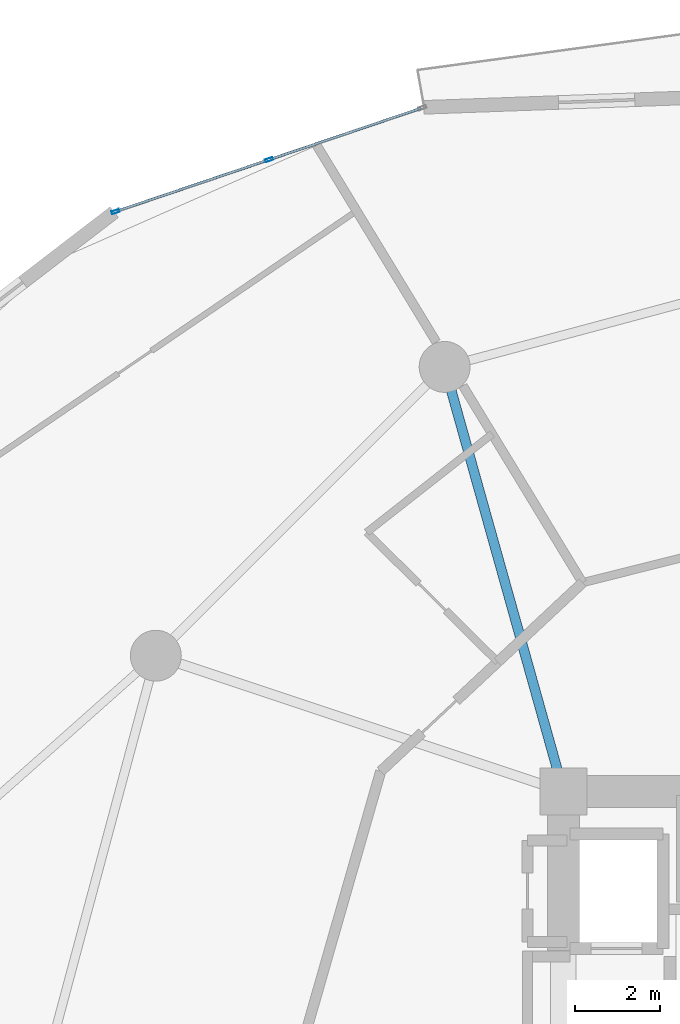
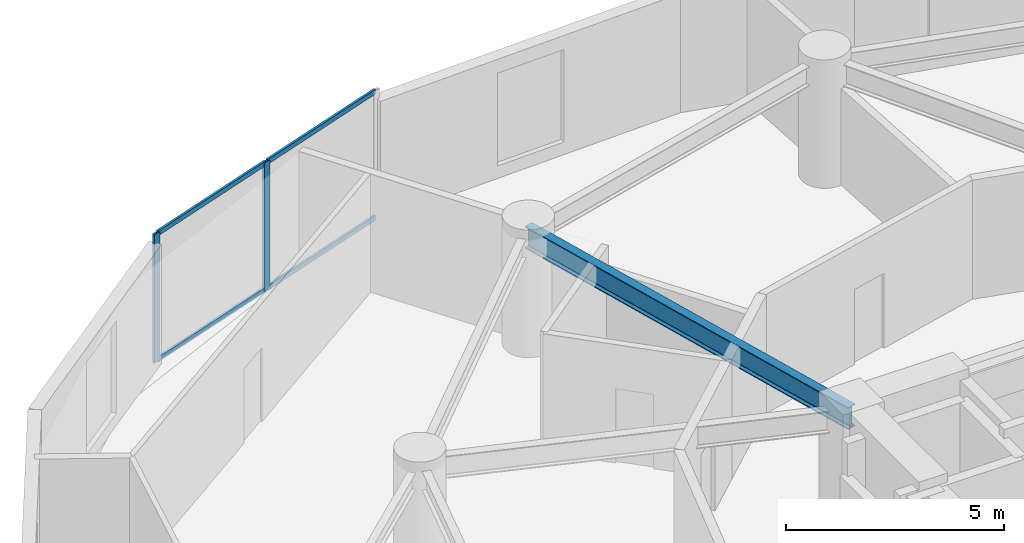
# One storey, part 12 of 23: 6 members, 1 beam, 1 element without a shape of its own.
"""IFC4 building model written with IfcOpenShell, lengths in metres."""

import ifcopenshell
import ifcopenshell.guid

model = None  # the IFC model being written
_history = None  # IfcOwnerHistory: only IFC2X3 demands one
_inside = {}  # id of a spatial element -> (the spatial element, [elements in it])
_under = {}  # id of a project, library or spatial element -> (it, [spatial elements below it])
_declared = {}  # id of a project -> (the project, [libraries it declares])
_typed = {}  # id of a type object -> (the type object, [elements of that type])
_made_of = {}  # id of a material, layer set ... -> (it, [elements and type objects made of it])


def new_model(schema):
    """Start an empty IFC model of exactly this schema.

    Asked for "IFC4X3", IfcOpenShell would pick the latest addendum, in which some entities
    have other attributes; the version numbers below select the first issue.
    IFC2X3 requires an IfcOwnerHistory on every rooted entity: one is made here for all.
    """
    global model, _history
    if schema == "IFC4X3":
        model = ifcopenshell.file(schema_version=(4, 3, 0, 0))
    else:
        model = ifcopenshell.file(schema=schema)
    _inside.clear()
    _under.clear()
    _declared.clear()
    _typed.clear()
    _made_of.clear()
    _history = None
    if model.schema == "IFC2X3":
        org = make("IfcOrganization", Name="unknown")
        user = make(
            "IfcPersonAndOrganization",
            ThePerson=make("IfcPerson", FamilyName="unknown"),
            TheOrganization=org,
        )
        app = make(
            "IfcApplication",
            ApplicationDeveloper=org,
            Version="unknown",
            ApplicationFullName="unknown",
            ApplicationIdentifier="unknown",
        )
        _history = make(
            "IfcOwnerHistory",
            OwningUser=user,
            OwningApplication=app,
            ChangeAction="ADDED",
            CreationDate=0,
        )
    return model


def make(cls, **values):
    """One entity of the class cls with the attributes given. An attribute that is None is left unset."""
    return model.create_entity(
        cls, **{name: value for name, value in values.items() if value is not None}
    )


def rooted(cls, **values):
    """An entity with a GlobalId (a new one), such as an element, a storey or a relation."""
    return make(cls, GlobalId=ifcopenshell.guid.new(), OwnerHistory=_history, **values)


def si_unit(unit_type, name, prefix=None):
    """IfcSIUnit, for example si_unit("LENGTHUNIT", "METRE", prefix="MILLI")."""
    return make("IfcSIUnit", UnitType=unit_type, Prefix=prefix, Name=name)


def assignment(units):
    """IfcUnitAssignment: the units of a project."""
    return None if units is None else make("IfcUnitAssignment", Units=units)


def point(xyz):
    """IfcCartesianPoint."""
    return None if xyz is None else make("IfcCartesianPoint", Coordinates=xyz)


def direction(xyz):
    """IfcDirection."""
    return None if xyz is None else make("IfcDirection", DirectionRatios=xyz)


def frame(location, z_axis=None, x_axis=None):
    """IfcAxis2Placement3D, a coordinate frame: its origin and axes. An axis left out is left unset."""
    return make(
        "IfcAxis2Placement3D",
        Location=point(location),
        Axis=direction(z_axis),
        RefDirection=direction(x_axis),
    )


def frame_2d(location, x_axis=None):
    """IfcAxis2Placement2D, a coordinate frame in the plane: its origin and x axis."""
    return make(
        "IfcAxis2Placement2D", Location=point(location), RefDirection=direction(x_axis)
    )


def origin():
    """The frame at (0, 0, 0) with its axes left unset."""
    return frame((0.0, 0.0, 0.0))


def origin_2d():
    """The frame at (0, 0) in the plane with its x axis left unset."""
    return frame_2d((0.0, 0.0))


def place(relative_to, where):
    """IfcLocalPlacement: puts the frame where relative to a parent placement (None: the world)."""
    return make(
        "IfcLocalPlacement", PlacementRelTo=relative_to, RelativePlacement=where
    )


def context(
    kind, dimensions, precision=None, world=None, true_north=None, identifier=None
):
    """IfcGeometricRepresentationContext, for example the 3D "Model" context."""
    return make(
        "IfcGeometricRepresentationContext",
        ContextIdentifier=identifier,
        ContextType=kind,
        CoordinateSpaceDimension=dimensions,
        Precision=precision,
        WorldCoordinateSystem=world,
        TrueNorth=true_north,
    )


def subcontext(parent, identifier, kind, view, scale=None):
    """IfcGeometricRepresentationSubContext, for example "Body" below "Model"."""
    return make(
        "IfcGeometricRepresentationSubContext",
        ContextIdentifier=identifier,
        ContextType=kind,
        ParentContext=parent,
        TargetScale=scale,
        TargetView=view,
    )


def project(units=None, contexts=None):
    """IfcProject with its units and contexts."""
    return rooted(
        "IfcProject",
        Name="project",
        RepresentationContexts=contexts,
        UnitsInContext=assignment(units),
    )


def spatial(cls, under=None, at=None, **own):
    """A site, building, storey or space (cls), placed at a placement, below another one or the project."""
    s = rooted(cls, ObjectPlacement=at, **own)
    if under is not None:
        _under.setdefault(under.id(), (under, []))[1].append(s)
    return s


def profile(cls, at=None, kind="AREA", **sizes):
    """A parametric profile (cls). Its sizes go by their IFC names, for example OverallWidth=200.0."""
    return make(cls, ProfileType=kind, Position=at, **sizes)


def hollow_rectangle(**sizes):
    """IfcRectangleHollowProfileDef."""
    return profile("IfcRectangleHollowProfileDef", **sizes)


def i_section(**sizes):
    """IfcIShapeProfileDef."""
    return profile("IfcIShapeProfileDef", **sizes)


def extrude(swept, where, along, depth):
    """IfcExtrudedAreaSolid: the profile swept, set in the frame where, extruded along a direction by depth."""
    return make(
        "IfcExtrudedAreaSolid",
        SweptArea=swept,
        Position=where,
        ExtrudedDirection=direction(along),
        Depth=depth,
    )


def shape(context_of_items, identifier, shape_type, items):
    """IfcShapeRepresentation: the items that make up one representation, for example the "Body"."""
    return make(
        "IfcShapeRepresentation",
        ContextOfItems=context_of_items,
        RepresentationIdentifier=identifier,
        RepresentationType=shape_type,
        Items=items,
    )


def source(mapping_origin, context_of_items, identifier, shape_type, items):
    """IfcRepresentationMap: a shape defined once, which mapped items show again and again."""
    return make(
        "IfcRepresentationMap",
        MappingOrigin=mapping_origin,
        MappedRepresentation=shape(context_of_items, identifier, shape_type, items),
    )


def transform(
    local_origin,
    x_axis=None,
    y_axis=None,
    z_axis=None,
    scale=None,
    scale2=None,
    scale3=None,
    uniform=True,
):
    """IfcCartesianTransformationOperator3D, or its non-uniform kind. x_axis, y_axis, z_axis: its Axis1, 2, 3."""
    if uniform:
        return make(
            "IfcCartesianTransformationOperator3D",
            Axis1=direction(x_axis),
            Axis2=direction(y_axis),
            LocalOrigin=point(local_origin),
            Scale=scale,
            Axis3=direction(z_axis),
        )
    return make(
        "IfcCartesianTransformationOperator3DnonUniform",
        Axis1=direction(x_axis),
        Axis2=direction(y_axis),
        LocalOrigin=point(local_origin),
        Scale=scale,
        Axis3=direction(z_axis),
        Scale2=scale2,
        Scale3=scale3,
    )


def mapped(mapping_source, mapping_target):
    """IfcMappedItem: shows the shape of a source again, moved by a transform."""
    return make(
        "IfcMappedItem", MappingSource=mapping_source, MappingTarget=mapping_target
    )


def material(Name=None, Category=None):
    """IfcMaterial."""
    return make("IfcMaterial", Name=Name, Category=Category)


def layer(
    of_material, thickness, ventilated=None, Name=None, Category=None, Priority=None
):
    """IfcMaterialLayer: one layer of a wall or slab, of a material (None: an air gap)."""
    return make(
        "IfcMaterialLayer",
        Material=of_material,
        LayerThickness=thickness,
        IsVentilated=ventilated,
        Name=Name,
        Category=Category,
        Priority=Priority,
    )


def layer_set(layers, Name=None):
    """IfcMaterialLayerSet."""
    return make("IfcMaterialLayerSet", MaterialLayers=layers, LayerSetName=Name)


def material_profile(
    of_material, cross_section, Name=None, Category=None, Priority=None
):
    """IfcMaterialProfile: a cross section and its material."""
    return make(
        "IfcMaterialProfile",
        Name=Name,
        Material=of_material,
        Profile=cross_section,
        Priority=Priority,
        Category=Category,
    )


def profile_set(profiles, Name=None, composite=None):
    """IfcMaterialProfileSet."""
    return make(
        "IfcMaterialProfileSet",
        Name=Name,
        MaterialProfiles=profiles,
        CompositeProfile=composite,
    )


def made_of(thing, what):
    """Note that an element or type object is made of a material, layer set ...; save() writes the relation."""
    if what is not None:
        _made_of.setdefault(what.id(), (what, []))[1].append(thing)
    return thing


def type_object(cls, material=None, **own):
    """A type object (cls), such as IfcWallType, which elements share."""
    return made_of(rooted(cls, **own), material)


def element(
    cls,
    number,
    at=None,
    inside=None,
    cuts=None,
    type_object=None,
    material=None,
    context=None,
    identifier="Body",
    shape_type=None,
    held_by="IfcProductDefinitionShape",
    body=None,
    shapes=None,
    **own,
):
    """One element of the class cls, such as IfcWall. Its Tag is "e" and its number.

    at: its placement. inside: the storey or other place that contains it. cuts: it is an
    opening in that element (IfcRelVoidsElement). A single representation is given by context,
    identifier, shape_type and body (its items); several are given by shapes. held_by: the class
    of the entity that holds the representations. save() writes the other relations.
    """
    e = rooted(cls, Tag="e%d" % number, ObjectPlacement=at, **own)
    if body is not None:
        shapes = [shape(context, identifier, shape_type, body)]
    if shapes is not None:
        e.Representation = make(held_by, Representations=shapes)
    if inside is not None:
        _inside.setdefault(inside.id(), (inside, []))[1].append(e)
    if cuts is not None:
        rooted(
            "IfcRelVoidsElement", RelatingBuildingElement=cuts, RelatedOpeningElement=e
        )
    if type_object is not None:
        _typed.setdefault(type_object.id(), (type_object, []))[1].append(e)
    return made_of(e, material)


def aggregate(whole, parts):
    """IfcRelAggregates: a whole, such as a stair, and the parts it consists of."""
    return rooted("IfcRelAggregates", RelatingObject=whole, RelatedObjects=parts)


def save(model, path):
    """Write the relations noted so far, then the file.

    IfcRelAggregates (storeys below a building ...), IfcRelContainedInSpatialStructure (elements
    in a storey), IfcRelDefinesByType, IfcRelAssociatesMaterial and IfcRelDeclares: one each for
    every whole, place, type object, material and project.
    """
    for whole, parts in _under.values():
        aggregate(whole, parts)
    for where, things in _inside.values():
        rooted(
            "IfcRelContainedInSpatialStructure",
            RelatedElements=things,
            RelatingStructure=where,
        )
    for kind, things in _typed.values():
        rooted("IfcRelDefinesByType", RelatedObjects=things, RelatingType=kind)
    for what, things in _made_of.values():
        rooted("IfcRelAssociatesMaterial", RelatedObjects=things, RelatingMaterial=what)
    for by, libraries in _declared.values():
        rooted("IfcRelDeclares", RelatingContext=by, RelatedDefinitions=libraries)
    model.write(path)


model = new_model("IFC4")

# Units and contexts
model_context = context("Model", 3, precision=1e-05, world=origin(), true_north=direction((0.0, 1.0)))
body_context = subcontext(model_context, "Body", "Model", "MODEL_VIEW")
ifc_project = project(units=[si_unit("LENGTHUNIT", "METRE"), si_unit("AREAUNIT", "SQUARE_METRE"), si_unit("VOLUMEUNIT", "CUBIC_METRE"), si_unit("PLANEANGLEUNIT", "RADIAN"), si_unit("MASSUNIT", "GRAM", prefix="KILO")], contexts=[model_context])

# Site, building, storey
site_placement = place(None, origin())
site = spatial("IfcSite", under=ifc_project, at=site_placement, CompositionType="ELEMENT")
building_placement = place(site_placement, origin())
building = spatial("IfcBuilding", under=site, at=building_placement, Name="Solvirekh Grand Hotel", CompositionType="ELEMENT")
storey_placement = place(building_placement, frame((0.0, 0.0, 75.199951171875)))
storey = spatial("IfcBuildingStorey", under=building, at=storey_placement, Name="L18", CompositionType="ELEMENT", Elevation=75.199951171875)

# Beam
ifc_material_1 = material(Name="Steel S355", Category="steel")
ifc_material_profile_1 = material_profile(ifc_material_1, i_section(OverallWidth=0.22998046875, OverallDepth=0.615966796875, WebThickness=0.013916015625, FlangeThickness=0.02392578125, FilletRadius=0.014892578125, at=origin_2d()), Name="W610X174")
ifc_profile_set_1 = profile_set([ifc_material_profile_1], Name="Steel S355")
beam_type = type_object("IfcBeamType", Name="Beam_Primary_W610H", PredefinedType="BEAM", material=ifc_profile_set_1)
beam_placement = place(storey_placement, frame((-6.5, 6.10009765625, 3.031982421875), z_axis=(-0.269439084681, 0.963017434757, 0.0), x_axis=(-0.963017434757, -0.269439084681, 0.0)))
element("IfcBeam", 1, at=beam_placement, inside=storey, type_object=beam_type, Name="L18 radial floor beam R05", PredefinedType="BEAM", context=body_context, shape_type="SweptSolid", body=[
    extrude(i_section(OverallWidth=0.22998046875, OverallDepth=0.615966796875, WebThickness=0.013916015625, FlangeThickness=0.02392578125, FilletRadius=0.014892578125, at=origin_2d()), origin(), (0.0, 0.0, 1.0), 10.39208984375),
])

# Curtain wall, members
ifc_material_2 = material(Name="Anodized Bronze Aluminium 6063-T6", Category="aluminium")
ifc_layer = layer(ifc_material_2, 0.18994140625)
ifc_layer_set = layer_set([ifc_layer], Name="Anodized Bronze Aluminium 6063-T6")
curtain_wall_type = type_object("IfcCurtainWallType", Name="CW_Sys2_LowZoneFlushBronzeCW", PredefinedType="NOTDEFINED", material=ifc_layer_set)
curtain_wall_placement = place(storey_placement, origin())
curtain_wall = element("IfcCurtainWall", 2, at=curtain_wall_placement, inside=storey, type_object=curtain_wall_type, Name="L18 unitised bronze-glass curtain wall CW-L18-C08", PredefinedType="NOTDEFINED")
ifc_material_profile_2 = material_profile(ifc_material_2, hollow_rectangle(XDim=0.070068359375, YDim=0.18994140625, WallThickness=0.0048828125, at=origin_2d()), Name="ALU RHS 190X70X5")
ifc_profile_set_2 = profile_set([ifc_material_profile_2], Name="Anodized Bronze Aluminium 6063-T6")
member_type_1 = type_object("IfcMemberType", Name="CWMullion_Sys2", PredefinedType="MULLION", material=ifc_profile_set_2)
shared_shape_1 = source(origin(), body_context, "Body", "SweptSolid", [
    extrude(hollow_rectangle(XDim=0.070068359375, YDim=0.18994140625, WallThickness=0.0048828125, at=origin_2d()), origin(), (0.0, 0.0, 1.0), 3.60009765625),
])
member_1_placement = place(storey_placement, frame((-13.43896484375, 20.991455078125, 0.0), z_axis=(0.0, 0.0, 1.0), x_axis=(0.320468965331, -0.947259015402, 0.0)))
member_1 = element("IfcMember", 3, at=member_1_placement, type_object=member_type_1, Name="U02 mullion 2", PredefinedType="MULLION", context=body_context, shape_type="MappedRepresentation", body=[
    mapped(shared_shape_1, transform((0.0, 0.0, 0.0), x_axis=(1.0, 0.0, 0.0), y_axis=(0.0, 1.0, 0.0), z_axis=(0.0, 0.0, 1.0), scale=1.0)),
])
member_2_placement = place(storey_placement, frame((-17.054931640625, 19.768310546875, 0.0), z_axis=(0.0, 0.0, 1.0), x_axis=(0.320468965331, -0.947259015402, 0.0)))
member_2 = element("IfcMember", 4, at=member_2_placement, type_object=member_type_1, Name="U02 mullion 3", PredefinedType="MULLION", context=body_context, shape_type="MappedRepresentation", body=[
    mapped(shared_shape_1, transform((0.0, 0.0, 0.0), x_axis=(1.0, 0.0, 0.0), y_axis=(0.0, 1.0, 0.0), z_axis=(0.0, 0.0, 1.0), scale=1.0)),
])
ifc_material_profile_3 = material_profile(ifc_material_2, hollow_rectangle(XDim=0.06005859375, YDim=0.135009765625, WallThickness=0.00390625, at=origin_2d()), Name="ALU RHS 135X60X4")
ifc_profile_set_3 = profile_set([ifc_material_profile_3], Name="Anodized Bronze Aluminium 6063-T6")
member_type_2 = type_object("IfcMemberType", Name="CWTransom_Sys2", PredefinedType="USERDEFINED", material=ifc_profile_set_3)
shared_shape_2 = source(origin(), body_context, "Body", "SweptSolid", [
    extrude(hollow_rectangle(XDim=0.06005859375, YDim=0.135009765625, WallThickness=0.00390625, at=origin_2d()), origin(), (0.0, 0.0, 1.0), 3.747314453125),
])
member_3_placement = place(storey_placement, frame((-9.856201171875, 22.20361328125, 0.030029296875), z_axis=(-0.947253402674, -0.320485555248, 0.0), x_axis=(0.320485555248, -0.947253402674, 0.0)))
member_3 = element("IfcMember", 5, at=member_3_placement, type_object=member_type_2, Name="U02 transom 1.1", ObjectType="TRANSOM", PredefinedType="USERDEFINED", context=body_context, shape_type="MappedRepresentation", body=[
    mapped(shared_shape_2, transform((0.0, 0.0, 0.0), x_axis=(1.0, 0.0, 0.0), y_axis=(0.0, 1.0, 0.0), z_axis=(0.0, 0.0, 1.0), scale=1.0)),
])
member_4_placement = place(storey_placement, frame((-9.856201171875, 22.20361328125, 3.570068359375), z_axis=(-0.947253402674, -0.320485555248, 0.0), x_axis=(0.320485555248, -0.947253402674, 0.0)))
member_4 = element("IfcMember", 6, at=member_4_placement, type_object=member_type_2, Name="U02 transom 1.2", ObjectType="TRANSOM", PredefinedType="USERDEFINED", context=body_context, shape_type="MappedRepresentation", body=[
    mapped(shared_shape_2, transform((0.0, 0.0, 0.0), x_axis=(1.0, 0.0, 0.0), y_axis=(0.0, 1.0, 0.0), z_axis=(0.0, 0.0, 1.0), scale=1.0)),
])
shared_shape_3 = source(origin(), body_context, "Body", "SweptSolid", [
    extrude(hollow_rectangle(XDim=0.06005859375, YDim=0.135009765625, WallThickness=0.00390625, at=origin_2d()), origin(), (0.0, 0.0, 1.0), 3.7470703125),
])
member_5_placement = place(storey_placement, frame((-13.47216796875, 20.980224609375, 0.030029296875), z_axis=(-0.947273180371, -0.320427092721, 0.0), x_axis=(0.320427092721, -0.947273180371, 0.0)))
member_5 = element("IfcMember", 7, at=member_5_placement, type_object=member_type_2, Name="U02 transom 2.1", ObjectType="TRANSOM", PredefinedType="USERDEFINED", context=body_context, shape_type="MappedRepresentation", body=[
    mapped(shared_shape_3, transform((0.0, 0.0, 0.0), x_axis=(1.0, 0.0, 0.0), y_axis=(0.0, 1.0, 0.0), z_axis=(0.0, 0.0, 1.0), scale=1.0)),
])
member_6_placement = place(storey_placement, frame((-13.47216796875, 20.980224609375, 3.570068359375), z_axis=(-0.947273180371, -0.320427092721, 0.0), x_axis=(0.320427092721, -0.947273180371, 0.0)))
member_6 = element("IfcMember", 8, at=member_6_placement, type_object=member_type_2, Name="U02 transom 2.2", ObjectType="TRANSOM", PredefinedType="USERDEFINED", context=body_context, shape_type="MappedRepresentation", body=[
    mapped(shared_shape_3, transform((0.0, 0.0, 0.0), x_axis=(1.0, 0.0, 0.0), y_axis=(0.0, 1.0, 0.0), z_axis=(0.0, 0.0, 1.0), scale=1.0)),
])
aggregate(curtain_wall, [member_1, member_2, member_3, member_4, member_5, member_6])

save(model, "model.ifc")
